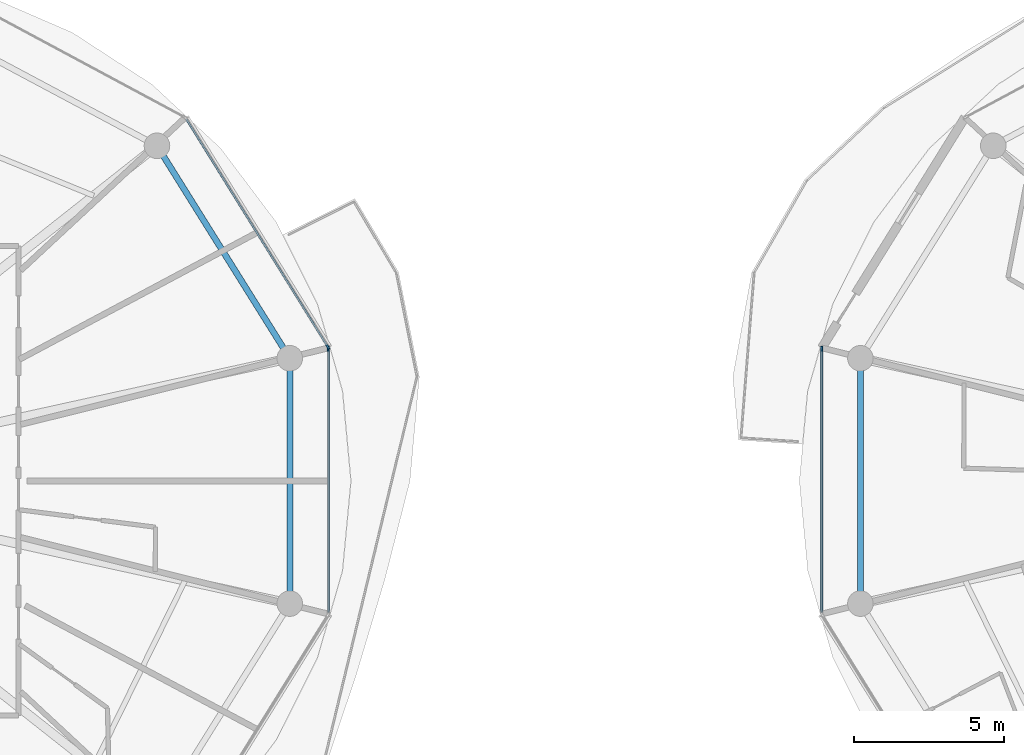
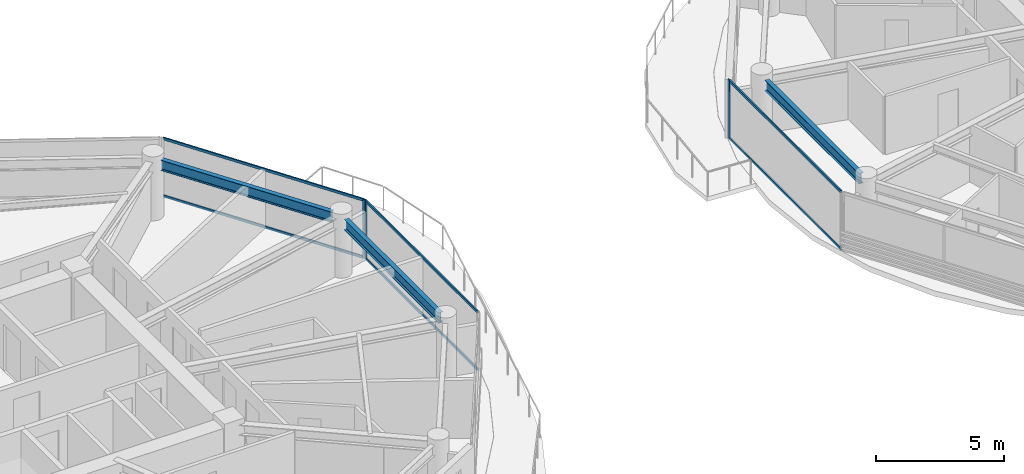
# One storey, part 7 of 22: 9 members, 3 beams, 3 elements without a shape of their own.
"""IFC4 building model written with IfcOpenShell, lengths in metres."""

from ifc_helpers import new_model, si_unit, direction, frame, origin, origin_2d, place, context, subcontext, project, spatial, rectangle, i_section, extrude, source, transform, mapped, material, layer, layer_set, material_profile, profile_set, type_object, type_shapes, element, aggregate, save


model = new_model("IFC4")

# Units and contexts
model_context = context("Model", 3, precision=1e-05, world=origin(), true_north=direction((0.0, 1.0)))
body_context = subcontext(model_context, "Body", "Model", "MODEL_VIEW")
ifc_project = project(units=[si_unit("LENGTHUNIT", "METRE"), si_unit("AREAUNIT", "SQUARE_METRE"), si_unit("VOLUMEUNIT", "CUBIC_METRE"), si_unit("PLANEANGLEUNIT", "RADIAN"), si_unit("MASSUNIT", "GRAM", prefix="KILO")], contexts=[model_context])

# Site, building, storey
site_placement = place(None, origin())
site = spatial("IfcSite", under=ifc_project, at=site_placement, CompositionType="ELEMENT")
building_placement = place(site_placement, origin())
building = spatial("IfcBuilding", under=site, at=building_placement, Name="Norrkilde Senior Care Towers", CompositionType="ELEMENT")
storey_placement = place(building_placement, frame((0.0, 0.0, 123.699951171875)))
storey = spatial("IfcBuildingStorey", under=building, at=storey_placement, Name="L38", CompositionType="ELEMENT", Elevation=123.699951171875)

# Beams
ifc_material_1 = material(Name="Steel S355", Category="steel")
ifc_material_profile_1 = material_profile(ifc_material_1, i_section(OverallWidth=0.199951171875, OverallDepth=0.5, WebThickness=0.01025390625, FlangeThickness=0.01611328125, FilletRadius=0.02099609375, at=origin_2d()), Name="IPE 500")
ifc_profile_set_1 = profile_set([ifc_material_profile_1], Name="Steel S355")
beam_type = type_object("IfcBeamType", Name="Perimeter Ring Spandrel Z2 IPE500", PredefinedType="SPANDREL", material=ifc_profile_set_1)
shared_shape_1 = source(origin(), body_context, "Body", "SweptSolid", [
    extrude(i_section(OverallWidth=0.199951171875, OverallDepth=0.5, WebThickness=0.01025390625, FlangeThickness=0.01611328125, FilletRadius=0.02099609375, at=origin_2d()), origin(), (0.0, 0.0, 1.0), 7.55615234375),
])
beam_placement = place(storey_placement, frame((-9.68505859375, 4.40283203125, 2.5400390625), z_axis=(-0.529981514254, 0.848009194849, 0.0), x_axis=(-0.848009194849, -0.529981514254, 0.0)))
element("IfcBeam", 1, at=beam_placement, inside=storey, type_object=beam_type, Name="L38 Drum W Perimeter Spandrel 01", PredefinedType="SPANDREL", context=body_context, shape_type="MappedRepresentation", body=[
    mapped(shared_shape_1, transform((0.0, 0.0, 0.0), x_axis=(1.0, 0.0, 0.0), y_axis=(0.0, 1.0, 0.0), z_axis=(0.0, 0.0, 1.0), scale=1.0)),
])
shared_shape_2 = source(origin(), body_context, "Body", "SweptSolid", [
    extrude(i_section(OverallWidth=0.199951171875, OverallDepth=0.5, WebThickness=0.01025390625, FlangeThickness=0.01611328125, FilletRadius=0.02099609375, at=origin_2d()), origin(), (0.0, 0.0, 1.0), 7.3828125),
])
type_shapes(beam_type, [shared_shape_1, shared_shape_2])
for number, where, z_axis, x_axis, name in (
    (2, (-9.48095703125, -3.69140625, 2.5400390625), (0.0, 1.0, 0.0), (-1.0, 0.0, 0.0), "L38 Drum W Perimeter Spandrel 12"),
    (3, (9.48095703125, 3.69140625, 2.5400390625), (0.0, -1.0, 0.0), (1.0, 0.0, 0.0), "L38 Drum E Perimeter Spandrel 06"),
):
    element("IfcBeam", number, at=place(storey_placement, frame(where, z_axis=z_axis, x_axis=x_axis)), inside=storey, type_object=beam_type, Name=name, PredefinedType="SPANDREL", context=body_context, shape_type="MappedRepresentation", body=[
        mapped(shared_shape_2, transform((0.0, 0.0, 0.0), x_axis=(1.0, 0.0, 0.0), y_axis=(0.0, 1.0, 0.0), z_axis=(0.0, 0.0, 1.0), scale=1.0)),
    ])

# Curtain wall, member
ifc_material_2 = material(Name="Triple Low-E Insulated Glazing", Category="glass")
ifc_layer = layer(ifc_material_2, 0.195068359375)
ifc_layer_set = layer_set([ifc_layer], Name="Triple Low-E Insulated Glazing")
curtain_wall_type = type_object("IfcCurtainWallType", Name="CW3 Zone 2 Assisted Living Curtain Wall", PredefinedType="NOTDEFINED", material=ifc_layer_set)
curtain_wall_1_placement = place(storey_placement, origin())
curtain_wall_1 = element("IfcCurtainWall", 4, at=curtain_wall_1_placement, inside=storey, type_object=curtain_wall_type, Name="L38 Drum W Curtain Wall 00", PredefinedType="NOTDEFINED")
ifc_material_3 = material(Name="Anodised Aluminium", Category="aluminium")
ifc_material_profile_2 = material_profile(ifc_material_3, rectangle(XDim=0.06494140625, YDim=0.159912109375, at=origin_2d()), Name="ALU MULL 65x160")
ifc_profile_set_2 = profile_set([ifc_material_profile_2], Name="Anodised Aluminium")
member_type_1 = type_object("IfcMemberType", Name="Curtain Wall Mullion Z1-Z2 65x160", PredefinedType="MULLION", material=ifc_profile_set_2)
shared_shape_3 = source(origin(), body_context, "Body", "SweptSolid", [
    extrude(rectangle(XDim=0.06494140625, YDim=0.159912109375, at=origin_2d()), origin(), (0.0, 0.0, 1.0), 2.7900390625),
])
type_shapes(member_type_1, [shared_shape_3])
member_1_placement = place(storey_placement, frame((-8.21337890625, 4.4482421875, 0.0), z_axis=(0.0, 0.0, 1.0), x_axis=(0.849410171862, 0.527733228002, 0.0)))
member_1 = element("IfcMember", 5, at=member_1_placement, type_object=member_type_1, Name="CW-3 mullion 2", PredefinedType="MULLION", context=body_context, shape_type="MappedRepresentation", body=[
    mapped(shared_shape_3, transform((0.0, 0.0, 0.0), x_axis=(1.0, 0.0, 0.0), y_axis=(0.0, 1.0, 0.0), z_axis=(0.0, 0.0, 1.0), scale=1.0)),
])

curtain_wall_2_placement = place(storey_placement, origin())
curtain_wall_2 = element("IfcCurtainWall", 6, at=curtain_wall_2_placement, inside=storey, type_object=curtain_wall_type, Name="L38 Drum W Curtain Wall 11", PredefinedType="NOTDEFINED")
member_2_placement = place(storey_placement, frame((-8.1962890625, 4.38818359375, 0.0), z_axis=(0.0, 0.0, 1.0), x_axis=(1.0, 0.0, 0.0)))
member_2 = element("IfcMember", 7, at=member_2_placement, type_object=member_type_1, Name="CW-3 mullion 1", PredefinedType="MULLION", context=body_context, shape_type="MappedRepresentation", body=[
    mapped(shared_shape_3, transform((0.0, 0.0, 0.0), x_axis=(1.0, 0.0, 0.0), y_axis=(0.0, 1.0, 0.0), z_axis=(0.0, 0.0, 1.0), scale=1.0)),
])

curtain_wall_3_placement = place(storey_placement, origin())
curtain_wall_3 = element("IfcCurtainWall", 8, at=curtain_wall_3_placement, inside=storey, type_object=curtain_wall_type, Name="L38 Drum E Curtain Wall 05", PredefinedType="NOTDEFINED")
member_3_placement = place(storey_placement, frame((8.1962890625, 4.38818359375, 0.0), z_axis=(0.0, 0.0, 1.0), x_axis=(-1.0, 0.0, 0.0)))
member_3 = element("IfcMember", 9, at=member_3_placement, type_object=member_type_1, Name="CW-3 mullion 2", PredefinedType="MULLION", context=body_context, shape_type="MappedRepresentation", body=[
    mapped(shared_shape_3, transform((0.0, 0.0, 0.0), x_axis=(1.0, 0.0, 0.0), y_axis=(0.0, 1.0, 0.0), z_axis=(0.0, 0.0, 1.0), scale=1.0)),
])

# Member
ifc_material_profile_3 = material_profile(ifc_material_3, rectangle(XDim=0.06005859375, YDim=0.1201171875, at=origin_2d()), Name="ALU TRAN 60x120")
ifc_profile_set_3 = profile_set([ifc_material_profile_3], Name="Anodised Aluminium")
member_type_2 = type_object("IfcMemberType", Name="Curtain Wall Transom Typical 60x120", PredefinedType="USERDEFINED", material=ifc_profile_set_3)
shared_shape_4 = source(origin(), body_context, "Body", "SweptSolid", [
    extrude(rectangle(XDim=0.06005859375, YDim=0.1201171875, at=origin_2d()), origin(), (0.0, 0.0, 1.0), 8.88427734375),
])
member_4_placement = place(storey_placement, frame((-12.919189453125, 12.022216796875, 0.030029296875), z_axis=(0.527749293309, -0.849400190377, 0.0), x_axis=(0.849400190377, 0.527749293309, 0.0)))
member_4 = element("IfcMember", 10, at=member_4_placement, type_object=member_type_2, Name="CW-3 transom 1.1", ObjectType="TRANSOM", PredefinedType="USERDEFINED", context=body_context, shape_type="MappedRepresentation", body=[
    mapped(shared_shape_4, transform((0.0, 0.0, 0.0), x_axis=(1.0, 0.0, 0.0), y_axis=(0.0, 1.0, 0.0), z_axis=(0.0, 0.0, 1.0), scale=1.0)),
])

member_5_placement = place(storey_placement, frame((-12.919189453125, 12.022216796875, 2.760009765625), z_axis=(0.527749293309, -0.849400190377, 0.0), x_axis=(0.849400190377, 0.527749293309, 0.0)))
member_5 = element("IfcMember", 11, at=member_5_placement, type_object=member_type_2, Name="CW-3 transom 1.2", ObjectType="TRANSOM", PredefinedType="USERDEFINED", context=body_context, shape_type="MappedRepresentation", body=[
    mapped(shared_shape_4, transform((0.0, 0.0, 0.0), x_axis=(1.0, 0.0, 0.0), y_axis=(0.0, 1.0, 0.0), z_axis=(0.0, 0.0, 1.0), scale=1.0)),
])

aggregate(curtain_wall_1, [member_1, member_4, member_5])

shared_shape_5 = source(origin(), body_context, "Body", "SweptSolid", [
    extrude(rectangle(XDim=0.06005859375, YDim=0.1201171875, at=origin_2d()), origin(), (0.0, 0.0, 1.0), 8.71142578125),
])
type_shapes(member_type_2, [shared_shape_4, shared_shape_5])
member_6_placement = place(storey_placement, frame((-8.1962890625, 4.355712890625, 0.030029296875), z_axis=(0.0, -1.0, 0.0), x_axis=(1.0, 0.0, 0.0)))
member_6 = element("IfcMember", 12, at=member_6_placement, type_object=member_type_2, Name="CW-3 transom 1.1", ObjectType="TRANSOM", PredefinedType="USERDEFINED", context=body_context, shape_type="MappedRepresentation", body=[
    mapped(shared_shape_5, transform((0.0, 0.0, 0.0), x_axis=(1.0, 0.0, 0.0), y_axis=(0.0, 1.0, 0.0), z_axis=(0.0, 0.0, 1.0), scale=1.0)),
])

member_7_placement = place(storey_placement, frame((-8.1962890625, 4.355712890625, 2.760009765625), z_axis=(0.0, -1.0, 0.0), x_axis=(1.0, 0.0, 0.0)))
member_7 = element("IfcMember", 13, at=member_7_placement, type_object=member_type_2, Name="CW-3 transom 1.2", ObjectType="TRANSOM", PredefinedType="USERDEFINED", context=body_context, shape_type="MappedRepresentation", body=[
    mapped(shared_shape_5, transform((0.0, 0.0, 0.0), x_axis=(1.0, 0.0, 0.0), y_axis=(0.0, 1.0, 0.0), z_axis=(0.0, 0.0, 1.0), scale=1.0)),
])

aggregate(curtain_wall_2, [member_2, member_6, member_7])

member_8_placement = place(storey_placement, frame((8.1962890625, -4.355712890625, 0.030029296875), z_axis=(0.0, 1.0, 0.0), x_axis=(-1.0, 0.0, 0.0)))
member_8 = element("IfcMember", 14, at=member_8_placement, type_object=member_type_2, Name="CW-3 transom 1.1", ObjectType="TRANSOM", PredefinedType="USERDEFINED", context=body_context, shape_type="MappedRepresentation", body=[
    mapped(shared_shape_5, transform((0.0, 0.0, 0.0), x_axis=(1.0, 0.0, 0.0), y_axis=(0.0, 1.0, 0.0), z_axis=(0.0, 0.0, 1.0), scale=1.0)),
])

member_9_placement = place(storey_placement, frame((8.1962890625, -4.355712890625, 2.760009765625), z_axis=(0.0, 1.0, 0.0), x_axis=(-1.0, 0.0, 0.0)))
member_9 = element("IfcMember", 15, at=member_9_placement, type_object=member_type_2, Name="CW-3 transom 1.2", ObjectType="TRANSOM", PredefinedType="USERDEFINED", context=body_context, shape_type="MappedRepresentation", body=[
    mapped(shared_shape_5, transform((0.0, 0.0, 0.0), x_axis=(1.0, 0.0, 0.0), y_axis=(0.0, 1.0, 0.0), z_axis=(0.0, 0.0, 1.0), scale=1.0)),
])

aggregate(curtain_wall_3, [member_3, member_8, member_9])

save(model, "model.ifc")
